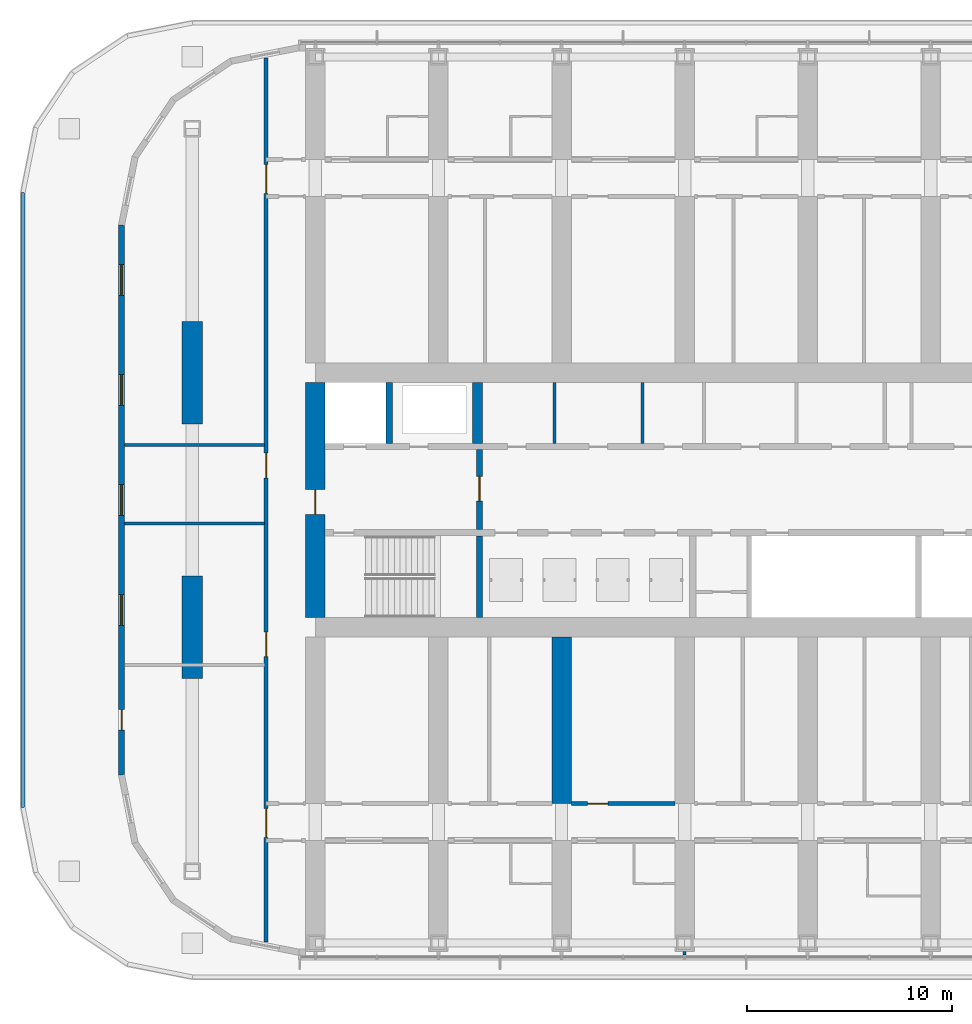
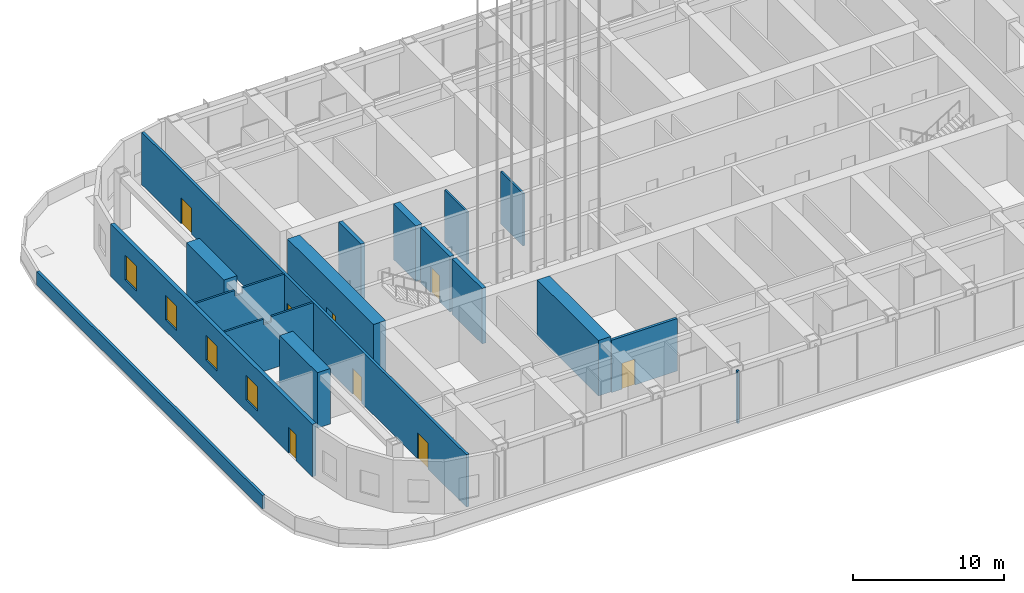
# One storey, part 11 of 32: 17 walls, 8 doors, 4 windows, 12 openings.
"""IFC4 building model written with IfcOpenShell, lengths in metres."""

from ifc_helpers import new_model, si_unit, direction, frame, frame_2d, origin, place, context, subcontext, project, spatial, polyline, rectangle, outline, extrude, material, layer, layer_set, type_object, element, fill, save


model = new_model("IFC4")

# Units and contexts
model_context = context("Model", 3, precision=1e-05, world=origin(), true_north=direction((0.0, 1.0)))
body_context = subcontext(model_context, "Body", "Model", "MODEL_VIEW")
ifc_project = project(units=[si_unit("LENGTHUNIT", "METRE"), si_unit("AREAUNIT", "SQUARE_METRE"), si_unit("VOLUMEUNIT", "CUBIC_METRE"), si_unit("PLANEANGLEUNIT", "RADIAN"), si_unit("MASSUNIT", "GRAM", prefix="KILO")], contexts=[model_context])

# Site, building, storey
site_placement = place(None, origin())
site = spatial("IfcSite", under=ifc_project, at=site_placement, CompositionType="ELEMENT")
building_placement = place(site_placement, origin())
building = spatial("IfcBuilding", under=site, at=building_placement, Name="Orbita Commons", CompositionType="ELEMENT")
storey_placement = place(building_placement, frame((0.0, 0.0, 140.35009765625)))
storey = spatial("IfcBuildingStorey", under=building, at=storey_placement, Name="L34", CompositionType="ELEMENT", Elevation=140.35009765625)

# Wall
ifc_material_1 = material(Name="Concrete C50/60", Category="concrete")
ifc_layer_1 = layer(ifc_material_1, 0.300048828125)
ifc_layer_set_1 = layer_set([ifc_layer_1], Name="Concrete C50/60")
wall_type_1 = type_object("IfcWallType", Name="Core inner wall 300 C50/60", PredefinedType="SHEAR", material=ifc_layer_set_1)
wall_1_placement = place(storey_placement, frame((26.0, 26.27490234375, 0.0), z_axis=(0.0, 0.0, 1.0), x_axis=(0.0, 1.0, 0.0)))
element("IfcWall", 1, at=wall_1_placement, inside=storey, type_object=wall_type_1, Name="Stair S1 wall L34", PredefinedType="SHEAR", context=body_context, shape_type="SweptSolid", body=[
    extrude(rectangle(XDim=3.97509765625, YDim=0.300048828125, at=frame_2d((1.987548828125, 0.0))), origin(), (0.0, 0.0, 1.0), 4.5),
])

# Wall, opening, door
wall_2_placement = place(storey_placement, frame((26.0, 30.550048828125, 0.0), z_axis=(0.0, 0.0, 1.0), x_axis=(0.0, 1.0, 0.0)))
wall_2 = element("IfcWall", 2, at=wall_2_placement, inside=storey, type_object=wall_type_1, Name="Firefighting lobby wall west L34", PredefinedType="SHEAR", context=body_context, shape_type="SweptSolid", body=[
    extrude(rectangle(XDim=3.89990234375, YDim=0.300048828125, at=frame_2d((1.949951171875, 0.0))), origin(), (0.0, 0.0, 1.0), 4.5),
])
opening_1_placement = place(wall_2_placement, frame((1.39990234375, 0.0, 0.0)))
opening_1 = element("IfcOpeningElement", 3, at=opening_1_placement, cuts=wall_2, Name="Opening D04", PredefinedType="OPENING", context=body_context, shape_type="SweptSolid", body=[
    extrude(rectangle(XDim=1.199951171875, YDim=2.10009765625, at=frame_2d((0.60009765625, 1.050048828125))), frame((0.0, 0.159912109375, 0.0), z_axis=(0.0, -1.0, 0.0), x_axis=(1.0, 0.0, 0.0)), (0.0, 0.0, 1.0), 0.320068359375),
])
ifc_material_2 = material(Name="Steel-faced fire door leaf", Category="steel")
door_type_1 = type_object("IfcDoorType", Name="Service door 20 min 1200x2100", OperationType="SINGLE_SWING_LEFT", PredefinedType="DOOR", material=ifc_material_2)
door_1_placement = place(opening_1_placement, origin())
door_1 = element("IfcDoor", 4, at=door_1_placement, inside=storey, type_object=door_type_1, Name="Lift lobby door west", OperationType="SINGLE_SWING_LEFT", OverallHeight=2.10009765625, OverallWidth=1.199951171875, PredefinedType="DOOR", context=body_context, shape_type="SweptSolid", body=[
    extrude(rectangle(XDim=1.199951171875, YDim=2.10009765625, at=frame_2d((0.60009765625, 1.050048828125))), frame((0.0, 0.02490234375, 0.0), z_axis=(0.0, -1.0, 0.0), x_axis=(1.0, 0.0, 0.0)), (0.0, 0.0, 1.0), 0.050048828125),
])
fill(opening_1, door_1)

# Walls
wall_3_placement = place(storey_placement, frame((21.60009765625, 34.75, 0.0), z_axis=(0.0, 0.0, 1.0), x_axis=(0.0, 1.0, 0.0)))
element("IfcWall", 5, at=wall_3_placement, inside=storey, type_object=wall_type_1, Name="Firefighting lift FL1 shaft wall L34", PredefinedType="SHEAR", context=body_context, shape_type="SweptSolid", body=[
    extrude(rectangle(XDim=2.97509765625, YDim=0.300048828125, at=frame_2d((1.487548828125, 0.0))), origin(), (0.0, 0.0, 1.0), 4.5),
])
ifc_material_3 = material(Name="Concrete C50/60", Category="concrete")
ifc_layer_2 = layer(ifc_material_3, 0.5)
ifc_layer_set_2 = layer_set([ifc_layer_2], Name="Concrete C50/60")
wall_type_2 = type_object("IfcWallType", Name="Core inner wall 500 C50/60", PredefinedType="SHEAR", material=ifc_layer_set_2)
wall_4_placement = place(storey_placement, frame((25.89990234375, 34.75, 0.0), z_axis=(0.0, 0.0, 1.0), x_axis=(0.0, 1.0, 0.0)))
element("IfcWall", 6, at=wall_4_placement, inside=storey, type_object=wall_type_2, Name="Riser wall west L34", PredefinedType="SHEAR", context=body_context, shape_type="SweptSolid", body=[
    extrude(rectangle(XDim=2.97509765625, YDim=0.5, at=frame_2d((1.487548828125, 0.0))), origin(), (0.0, 0.0, 1.0), 4.5),
])
ifc_material_4 = material(Name="Concrete blockwork", Category="masonry")
ifc_layer_3 = layer(ifc_material_4, 0.14990234375)
ifc_layer_set_3 = layer_set([ifc_layer_3], Name="Concrete blockwork")
wall_type_3 = type_object("IfcWallType", Name="Core partition 150 blockwork", PredefinedType="SOLIDWALL", material=ifc_layer_set_3)
for number, where, z_axis, x_axis, name in (
    (7, (29.65087890625, 34.75, 0.0), (0.0, 0.0, 1.0), (0.0, 1.0, 0.0), "Core partition 150 blockwork L34"),
    (8, (33.9462890625, 34.75, 0.0), (0.0, 0.0, 1.0), (0.0, 1.0, 0.0), "Core partition 150 blockwork L34"),
):
    element("IfcWall", number, at=place(storey_placement, frame(where, z_axis=z_axis, x_axis=x_axis)), inside=storey, type_object=wall_type_3, Name=name, PredefinedType="SOLIDWALL", context=body_context, shape_type="SweptSolid", body=[
        extrude(rectangle(XDim=2.97509765625, YDim=0.14990234375, at=frame_2d((1.487548828125, 0.0))), origin(), (0.0, 0.0, 1.0), 4.25),
    ])

# Wall, opening, door
ifc_material_5 = material(Name="Concrete C50/60", Category="concrete")
ifc_layer_4 = layer(ifc_material_5, 0.949951171875)
ifc_layer_set_4 = layer_set([ifc_layer_4], Name="Concrete C50/60")
wall_type_4 = type_object("IfcWallType", Name="Core wall 950 C50/60", PredefinedType="SHEAR", material=ifc_layer_set_4)
wall_5_placement = place(storey_placement, frame((18.0, 26.27490234375, 0.0), z_axis=(0.0, 0.0, 1.0), x_axis=(0.0, 1.0, 0.0)))
wall_5 = element("IfcWall", 9, at=wall_5_placement, inside=storey, type_object=wall_type_4, Name="Core end wall west L34", PredefinedType="SHEAR", context=body_context, shape_type="SweptSolid", body=[
    extrude(rectangle(XDim=11.4501953125, YDim=0.949951171875, at=frame_2d((5.72509765625, 0.0))), origin(), (0.0, 0.0, 1.0), 4.5),
])
opening_2_placement = place(wall_5_placement, frame((5.02490234375, 0.0, 0.0)))
opening_2 = element("IfcOpeningElement", 10, at=opening_2_placement, cuts=wall_5, Name="Opening D01", PredefinedType="OPENING", context=body_context, shape_type="SweptSolid", body=[
    extrude(rectangle(XDim=1.199951171875, YDim=2.10009765625, at=frame_2d((0.60009765625, 1.050048828125))), frame((0.0, 0.48486328125, 0.0), z_axis=(0.0, -1.0, 0.0), x_axis=(1.0, 0.0, 0.0)), (0.0, 0.0, 1.0), 0.969970703125),
])
ifc_material_6 = material(Name="Steel-faced fire door leaf", Category="steel")
door_type_2 = type_object("IfcDoorType", Name="Fire door 90 min 1200x2100", OperationType="SINGLE_SWING_LEFT", PredefinedType="DOOR", material=ifc_material_6)
door_2_placement = place(opening_2_placement, origin())
door_2 = element("IfcDoor", 11, at=door_2_placement, inside=storey, type_object=door_type_2, Name="Firefighting lobby west door", OperationType="SINGLE_SWING_LEFT", OverallHeight=2.10009765625, OverallWidth=1.199951171875, PredefinedType="DOOR", context=body_context, shape_type="SweptSolid", body=[
    extrude(rectangle(XDim=1.199951171875, YDim=2.10009765625, at=frame_2d((0.60009765625, 1.050048828125))), frame((0.0, 0.02490234375, 0.0), z_axis=(0.0, -1.0, 0.0), x_axis=(1.0, 0.0, 0.0)), (0.0, 0.0, 1.0), 0.050048828125),
])
fill(opening_2, door_2)

# Wall, openings, doors
ifc_material_7 = material(Name="Concrete blockwork", Category="masonry")
ifc_layer_5 = layer(ifc_material_7, 0.199951171875)
ifc_layer_set_5 = layer_set([ifc_layer_5], Name="Concrete blockwork")
wall_type_5 = type_object("IfcWallType", Name="Corridor wall 200 blockwork", PredefinedType="SOLIDWALL", material=ifc_layer_set_5)
wall_6_placement = place(storey_placement, frame((15.60009765625, 10.4462890625, 0.0), z_axis=(0.0, 0.0, 1.0), x_axis=(0.0, 1.0, 0.0)))
wall_6 = element("IfcWall", 12, at=wall_6_placement, inside=storey, type_object=wall_type_5, Name="Corridor wall 200 blockwork L34", PredefinedType="SOLIDWALL", context=body_context, shape_type="SweptSolid", body=[
    extrude(rectangle(XDim=43.107421875, YDim=0.199951171875, at=frame_2d((21.5537109375, 0.0))), origin(), (0.0, 0.0, 1.0), 4.25),
])
opening_3_placement = place(wall_6_placement, frame((13.913818359375, 0.0, 0.0)))
opening_3 = element("IfcOpeningElement", 13, at=opening_3_placement, cuts=wall_6, Name="Opening D15", PredefinedType="OPENING", context=body_context, shape_type="SweptSolid", body=[
    extrude(rectangle(XDim=1.199951171875, YDim=2.10009765625, at=frame_2d((0.60009765625, 1.050048828125))), frame((0.0, 0.10986328125, 0.0), z_axis=(0.0, -1.0, 0.0), x_axis=(1.0, 0.0, 0.0)), (0.0, 0.0, 1.0), 0.219970703125),
])
opening_4_placement = place(wall_6_placement, frame((22.6337890625, 0.0, 0.0)))
opening_4 = element("IfcOpeningElement", 14, at=opening_4_placement, cuts=wall_6, Name="Opening D15", PredefinedType="OPENING", context=body_context, shape_type="SweptSolid", body=[
    extrude(rectangle(XDim=1.199951171875, YDim=2.10009765625, at=frame_2d((0.60009765625, 1.050048828125))), frame((0.0, 0.10986328125, 0.0), z_axis=(0.0, -1.0, 0.0), x_axis=(1.0, 0.0, 0.0)), (0.0, 0.0, 1.0), 0.219970703125),
])
opening_5_placement = place(wall_6_placement, frame((5.103759765625, 0.0, 0.0)))
opening_5 = element("IfcOpeningElement", 15, at=opening_5_placement, cuts=wall_6, Name="Opening D08", PredefinedType="OPENING", context=body_context, shape_type="SweptSolid", body=[
    extrude(rectangle(XDim=1.39990234375, YDim=2.10009765625, at=frame_2d((0.699951171875, 1.050048828125))), frame((0.0, 0.10986328125, 0.0), z_axis=(0.0, -1.0, 0.0), x_axis=(1.0, 0.0, 0.0)), (0.0, 0.0, 1.0), 0.219970703125),
])
opening_6_placement = place(wall_6_placement, frame((36.50390625, 0.0, 0.0)))
opening_6 = element("IfcOpeningElement", 16, at=opening_6_placement, cuts=wall_6, Name="Opening D08", PredefinedType="OPENING", context=body_context, shape_type="SweptSolid", body=[
    extrude(rectangle(XDim=1.39990234375, YDim=2.10009765625, at=frame_2d((0.699951171875, 1.050048828125))), frame((0.0, 0.10986328125, 0.0), z_axis=(0.0, -1.0, 0.0), x_axis=(1.0, 0.0, 0.0)), (0.0, 0.0, 1.0), 0.219970703125),
])
ifc_material_8 = material(Name="Steel-faced fire door leaf", Category="steel")
door_type_3 = type_object("IfcDoorType", Name="Corridor door 20 min 1200x2100", OperationType="SINGLE_SWING_LEFT", PredefinedType="DOOR", material=ifc_material_8)
door_3_placement = place(opening_3_placement, origin())
door_3 = element("IfcDoor", 17, at=door_3_placement, inside=storey, type_object=door_type_3, Name="Study hall door", OperationType="SINGLE_SWING_LEFT", OverallHeight=2.10009765625, OverallWidth=1.199951171875, PredefinedType="DOOR", context=body_context, shape_type="SweptSolid", body=[
    extrude(rectangle(XDim=1.199951171875, YDim=2.10009765625, at=frame_2d((0.60009765625, 1.050048828125))), frame((0.0, 0.02490234375, 0.0), z_axis=(0.0, -1.0, 0.0), x_axis=(1.0, 0.0, 0.0)), (0.0, 0.0, 1.0), 0.050048828125),
])
fill(opening_3, door_3)
door_4_placement = place(opening_4_placement, origin())
door_4 = element("IfcDoor", 18, at=door_4_placement, inside=storey, type_object=door_type_3, Name="Sky lounge door", OperationType="SINGLE_SWING_LEFT", OverallHeight=2.10009765625, OverallWidth=1.199951171875, PredefinedType="DOOR", context=body_context, shape_type="SweptSolid", body=[
    extrude(rectangle(XDim=1.199951171875, YDim=2.10009765625, at=frame_2d((0.60009765625, 1.050048828125))), frame((0.0, 0.02490234375, 0.0), z_axis=(0.0, -1.0, 0.0), x_axis=(1.0, 0.0, 0.0)), (0.0, 0.0, 1.0), 0.050048828125),
])
fill(opening_4, door_4)
ifc_material_9 = material(Name="Steel-faced fire door leaf", Category="steel")
door_type_4 = type_object("IfcDoorType", Name="Double corridor door 20 min 1400x2100", OperationType="DOUBLE_DOOR_SINGLE_SWING", PredefinedType="DOOR", material=ifc_material_9)
door_5_placement = place(opening_5_placement, origin())
door_5 = element("IfcDoor", 19, at=door_5_placement, inside=storey, type_object=door_type_4, Name="Lounge doors", OperationType="DOUBLE_DOOR_SINGLE_SWING", OverallHeight=2.10009765625, OverallWidth=1.39990234375, PredefinedType="DOOR", context=body_context, shape_type="SweptSolid", body=[
    extrude(rectangle(XDim=1.39990234375, YDim=2.10009765625, at=frame_2d((0.699951171875, 1.050048828125))), frame((0.0, 0.02490234375, 0.0), z_axis=(0.0, -1.0, 0.0), x_axis=(1.0, 0.0, 0.0)), (0.0, 0.0, 1.0), 0.050048828125),
])
fill(opening_5, door_5)
door_6_placement = place(opening_6_placement, origin())
door_6 = element("IfcDoor", 20, at=door_6_placement, inside=storey, type_object=door_type_4, Name="Lounge doors", OperationType="DOUBLE_DOOR_SINGLE_SWING", OverallHeight=2.10009765625, OverallWidth=1.39990234375, PredefinedType="DOOR", context=body_context, shape_type="SweptSolid", body=[
    extrude(rectangle(XDim=1.39990234375, YDim=2.10009765625, at=frame_2d((0.699951171875, 1.050048828125))), frame((0.0, 0.02490234375, 0.0), z_axis=(0.0, -1.0, 0.0), x_axis=(1.0, 0.0, 0.0)), (0.0, 0.0, 1.0), 0.050048828125),
])
fill(opening_6, door_6)

# Wall, opening, door
ifc_material_10 = material(Name="Hollow concrete block 200", Category="concrete")
ifc_layer_6 = layer(ifc_material_10, 0.199951171875)
ifc_layer_set_6 = layer_set([ifc_layer_6], Name="Hollow concrete block 200")
wall_type_6 = type_object("IfcWallType", Name="Corridor wall 200 hollow concrete block", PredefinedType="SOLIDWALL", material=ifc_layer_set_6)
wall_7_placement = place(storey_placement, frame((30.47509765625, 17.199951171875, 0.0), z_axis=(0.0, 0.0, 1.0), x_axis=(1.0, 0.0, 0.0)))
wall_7 = element("IfcWall", 21, at=wall_7_placement, inside=storey, type_object=wall_type_6, Name="Corridor wall 200 hollow concrete block L34", PredefinedType="SOLIDWALL", context=body_context, shape_type="SweptSolid", body=[
    extrude(rectangle(XDim=5.0498046875, YDim=0.199951171875, at=frame_2d((2.52490234375, 0.0))), origin(), (0.0, 0.0, 1.0), 4.25),
])
opening_7_placement = place(wall_7_placement, frame((0.800048828125, 0.0, 0.0)))
opening_7 = element("IfcOpeningElement", 22, at=opening_7_placement, cuts=wall_7, Name="Opening D06", PredefinedType="OPENING", context=body_context, shape_type="SweptSolid", body=[
    extrude(rectangle(XDim=1.0, YDim=2.10009765625, at=frame_2d((0.5, 1.050048828125))), frame((0.0, 0.10986328125, 0.0), z_axis=(0.0, -1.0, 0.0), x_axis=(1.0, 0.0, 0.0)), (0.0, 0.0, 1.0), 0.219970703125),
])
ifc_material_11 = material(Name="Steel-faced fire door leaf", Category="steel")
door_type_5 = type_object("IfcDoorType", Name="Corridor door 20 min 1000x2100", OperationType="SINGLE_SWING_LEFT", PredefinedType="DOOR", material=ifc_material_11)
door_7_placement = place(opening_7_placement, origin())
door_7 = element("IfcDoor", 23, at=door_7_placement, inside=storey, type_object=door_type_5, Name="Housekeeping office L34-BDS30 door", OperationType="SINGLE_SWING_LEFT", OverallHeight=2.10009765625, OverallWidth=1.0, PredefinedType="DOOR", context=body_context, shape_type="SweptSolid", body=[
    extrude(rectangle(XDim=1.0, YDim=2.10009765625, at=frame_2d((0.5, 1.050048828125))), frame((0.0, 0.02490234375, 0.0), z_axis=(0.0, -1.0, 0.0), x_axis=(1.0, 0.0, 0.0)), (0.0, 0.0, 1.0), 0.050048828125),
])
fill(opening_7, door_7)

# Walls
ifc_material_12 = material(Name="Concrete C50/60", Category="concrete")
ifc_layer_7 = layer(ifc_material_12, 0.949951171875)
ifc_layer_set_7 = layer_set([ifc_layer_7], Name="Concrete C50/60")
wall_type_7 = type_object("IfcWallType", Name="Cross wall 950 C50/60", PredefinedType="SHEAR", material=ifc_layer_set_7)
wall_8_placement = place(storey_placement, frame((30.0, 17.199951171875, 0.0), z_axis=(0.0, 0.0, 1.0), x_axis=(0.0, 1.0, 0.0)))
element("IfcWall", 24, at=wall_8_placement, inside=storey, type_object=wall_type_7, Name="Cross wall 6 south inner L34", PredefinedType="SHEAR", context=body_context, shape_type="SweptSolid", body=[
    extrude(rectangle(XDim=8.125, YDim=0.949951171875, at=frame_2d((4.0625, 0.0))), origin(), (0.0, 0.0, 1.0), 4.5),
])
ifc_material_13 = material(Name="Concrete C50/60", Category="concrete")
ifc_layer_8 = layer(ifc_material_13, 1.0)
ifc_layer_set_8 = layer_set([ifc_layer_8], Name="Concrete C50/60")
wall_type_8 = type_object("IfcWallType", Name="End pier 1000x5000 C50/60", PredefinedType="SHEAR", material=ifc_layer_set_8)
for number, where, z_axis, x_axis, name in (
    (25, (12.0, 23.300048828125, 0.0), (0.0, 0.0, 1.0), (0.0, 1.0, 0.0), "End pier 3/C L34"),
    (26, (12.0, 35.699951171875, 0.0), (0.0, 0.0, 1.0), (0.0, 1.0, 0.0), "End pier 3/D L34"),
):
    element("IfcWall", number, at=place(storey_placement, frame(where, z_axis=z_axis, x_axis=x_axis)), inside=storey, type_object=wall_type_8, Name=name, PredefinedType="SHEAR", context=body_context, shape_type="SweptSolid", body=[
        extrude(rectangle(XDim=5.0, YDim=1.0, at=frame_2d((2.5, 0.0))), origin(), (0.0, 0.0, 1.0), 4.5),
    ])
ifc_material_14 = material(Name="Gypsum plasterboard on steel studs", Category="steel")
ifc_layer_9 = layer(ifc_material_14, 0.14990234375)
ifc_layer_set_9 = layer_set([ifc_layer_9], Name="Gypsum plasterboard on steel studs")
wall_type_9 = type_object("IfcWallType", Name="Partition 150 plasterboard", PredefinedType="PARTITIONING", material=ifc_layer_set_9)
for number, where, z_axis, x_axis, name in (
    (27, (8.705078125, 30.85009765625, 0.0), (0.0, 0.0, 1.0), (1.0, 0.0, 0.0), "Partition 150 plasterboard L34"),
    (28, (8.705078125, 34.679931640625, 0.0), (0.0, 0.0, 1.0), (1.0, 0.0, 0.0), "Partition 150 plasterboard L34"),
):
    element("IfcWall", number, at=place(storey_placement, frame(where, z_axis=z_axis, x_axis=x_axis)), inside=storey, type_object=wall_type_9, Name=name, PredefinedType="PARTITIONING", context=body_context, shape_type="SweptSolid", body=[
        extrude(outline(polyline([(0.0, 0.0), (6.81982421875, 0.0), (6.820068359375, 4.25), (3.596923828125, 4.25), (3.594970703125, 3.7998046875), (2.9970703125, 3.7998046875), (2.9951171875, 4.25), (0.0, 4.25), (0.0, 0.0)])), frame((0.0, 0.074951171875, 0.0), z_axis=(0.0, -1.0, 0.0), x_axis=(1.0, 0.0, 0.0)), (0.0, 0.0, 1.0), 0.14990234375),
    ])
wall_9_placement = place(storey_placement, frame((36.0, 10.0, 0.0), z_axis=(0.0, 0.0, 1.0), x_axis=(0.0, -1.0, 0.0)))
element("IfcWall", 29, at=wall_9_placement, inside=storey, type_object=wall_type_9, Name="Partition 150 plasterboard L34", PredefinedType="PARTITIONING", context=body_context, shape_type="SweptSolid", body=[
    extrude(rectangle(XDim=0.18994140625, YDim=0.14990234375, at=frame_2d((0.094970703125, 0.0))), origin(), (0.0, 0.0, 1.0), 4.25),
])

# Wall, openings, windows, door
ifc_material_15 = material(Name="Precast concrete C40/50, white board-marked finish", Category="concrete")
ifc_layer_10 = layer(ifc_material_15, 0.300048828125)
ifc_layer_set_10 = layer_set([ifc_layer_10], Name="Precast concrete C40/50, white board-marked finish")
wall_type_10 = type_object("IfcWallType", Name="Precast concrete end shield 300", PredefinedType="SOLIDWALL", material=ifc_layer_set_10)
wall_10_placement = place(storey_placement, frame((8.550048828125, 45.39990234375, 0.0), z_axis=(0.0, 0.0, 1.0), x_axis=(0.0, -1.0, 0.0)))
wall_10 = element("IfcWall", 30, at=wall_10_placement, inside=storey, type_object=wall_type_10, Name="End shield W L34", PredefinedType="SOLIDWALL", context=body_context, shape_type="SweptSolid", body=[
    extrude(outline(polyline([(-0.014892578125, -0.14990234375), (26.814697265625, -0.14990234375), (26.784912109375, 0.14990234375), (0.014892578125, 0.14990234375), (-0.014892578125, -0.14990234375)])), origin(), (0.0, 0.0, 1.0), 4.25),
])
opening_8_placement = place(wall_10_placement, frame((1.929931640625, 0.0, 0.89990234375)))
opening_8 = element("IfcOpeningElement", 31, at=opening_8_placement, cuts=wall_10, Name="Opening W01", PredefinedType="OPENING", context=body_context, shape_type="SweptSolid", body=[
    extrude(rectangle(XDim=1.5, YDim=2.0, at=frame_2d((0.75, 1.0))), frame((0.0, 0.159912109375, 0.0), z_axis=(0.0, -1.0, 0.0), x_axis=(1.0, 0.0, 0.0)), (0.0, 0.0, 1.0), 0.320068359375),
])
opening_9_placement = place(wall_10_placement, frame((7.2900390625, 0.0, 0.89990234375)))
opening_9 = element("IfcOpeningElement", 32, at=opening_9_placement, cuts=wall_10, Name="Opening W01", PredefinedType="OPENING", context=body_context, shape_type="SweptSolid", body=[
    extrude(rectangle(XDim=1.5, YDim=2.0, at=frame_2d((0.75, 1.0))), frame((0.0, 0.159912109375, 0.0), z_axis=(0.0, -1.0, 0.0), x_axis=(1.0, 0.0, 0.0)), (0.0, 0.0, 1.0), 0.320068359375),
])
opening_10_placement = place(wall_10_placement, frame((12.64990234375, 0.0, 0.89990234375)))
opening_10 = element("IfcOpeningElement", 33, at=opening_10_placement, cuts=wall_10, Name="Opening W01", PredefinedType="OPENING", context=body_context, shape_type="SweptSolid", body=[
    extrude(rectangle(XDim=1.5, YDim=2.0, at=frame_2d((0.75, 1.0))), frame((0.0, 0.159912109375, 0.0), z_axis=(0.0, -1.0, 0.0), x_axis=(1.0, 0.0, 0.0)), (0.0, 0.0, 1.0), 0.320068359375),
])
opening_11_placement = place(wall_10_placement, frame((18.010009765625, 0.0, 0.89990234375)))
opening_11 = element("IfcOpeningElement", 34, at=opening_11_placement, cuts=wall_10, Name="Opening W01", PredefinedType="OPENING", context=body_context, shape_type="SweptSolid", body=[
    extrude(rectangle(XDim=1.5, YDim=2.0, at=frame_2d((0.75, 1.0))), frame((0.0, 0.159912109375, 0.0), z_axis=(0.0, -1.0, 0.0), x_axis=(1.0, 0.0, 0.0)), (0.0, 0.0, 1.0), 0.320068359375),
])
opening_12_placement = place(wall_10_placement, frame((23.6201171875, 0.0, 0.0)))
opening_12 = element("IfcOpeningElement", 35, at=opening_12_placement, cuts=wall_10, Name="Opening DR1", PredefinedType="OPENING", context=body_context, shape_type="SweptSolid", body=[
    extrude(rectangle(XDim=1.0, YDim=2.10009765625, at=frame_2d((0.5, 1.050048828125))), frame((0.0, 0.159912109375, 0.0), z_axis=(0.0, -1.0, 0.0), x_axis=(1.0, 0.0, 0.0)), (0.0, 0.0, 1.0), 0.320068359375),
])
ifc_material_16 = material(Name="Aluminium frame, clear double glazing", Category="aluminium")
window_type = type_object("IfcWindowType", Name="Deep-set window 1500x2000", PartitioningType="SINGLE_PANEL", PredefinedType="WINDOW", material=ifc_material_16)
window_1_placement = place(opening_8_placement, origin())
window_1 = element("IfcWindow", 36, at=window_1_placement, inside=storey, type_object=window_type, Name="Window L34-W 1", OverallHeight=2.0, OverallWidth=1.5, PartitioningType="SINGLE_PANEL", PredefinedType="WINDOW", context=body_context, shape_type="SweptSolid", body=[
    extrude(rectangle(XDim=1.5, YDim=2.0, at=frame_2d((0.75, 1.0))), frame((0.0, 0.030029296875, 0.0), z_axis=(0.0, -1.0, 0.0), x_axis=(1.0, 0.0, 0.0)), (0.0, 0.0, 1.0), 0.06005859375),
])
fill(opening_8, window_1)
window_2_placement = place(opening_9_placement, origin())
window_2 = element("IfcWindow", 37, at=window_2_placement, inside=storey, type_object=window_type, Name="Window L34-W 2", OverallHeight=2.0, OverallWidth=1.5, PartitioningType="SINGLE_PANEL", PredefinedType="WINDOW", context=body_context, shape_type="SweptSolid", body=[
    extrude(rectangle(XDim=1.5, YDim=2.0, at=frame_2d((0.75, 1.0))), frame((0.0, 0.030029296875, 0.0), z_axis=(0.0, -1.0, 0.0), x_axis=(1.0, 0.0, 0.0)), (0.0, 0.0, 1.0), 0.06005859375),
])
fill(opening_9, window_2)
window_3_placement = place(opening_10_placement, origin())
window_3 = element("IfcWindow", 38, at=window_3_placement, inside=storey, type_object=window_type, Name="Window L34-W 3", OverallHeight=2.0, OverallWidth=1.5, PartitioningType="SINGLE_PANEL", PredefinedType="WINDOW", context=body_context, shape_type="SweptSolid", body=[
    extrude(rectangle(XDim=1.5, YDim=2.0, at=frame_2d((0.75, 1.0))), frame((0.0, 0.030029296875, 0.0), z_axis=(0.0, -1.0, 0.0), x_axis=(1.0, 0.0, 0.0)), (0.0, 0.0, 1.0), 0.06005859375),
])
fill(opening_10, window_3)
window_4_placement = place(opening_11_placement, origin())
window_4 = element("IfcWindow", 39, at=window_4_placement, inside=storey, type_object=window_type, Name="Window L34-W 4", OverallHeight=2.0, OverallWidth=1.5, PartitioningType="SINGLE_PANEL", PredefinedType="WINDOW", context=body_context, shape_type="SweptSolid", body=[
    extrude(rectangle(XDim=1.5, YDim=2.0, at=frame_2d((0.75, 1.0))), frame((0.0, 0.030029296875, 0.0), z_axis=(0.0, -1.0, 0.0), x_axis=(1.0, 0.0, 0.0)), (0.0, 0.0, 1.0), 0.06005859375),
])
fill(opening_11, window_4)
ifc_material_17 = material(Name="Aluminium frame, insulated solid panel", Category="aluminium")
door_type_6 = type_object("IfcDoorType", Name="Roof access door 1000x2100", OperationType="SINGLE_SWING_LEFT", PredefinedType="DOOR", material=ifc_material_17)
door_8_placement = place(opening_12_placement, origin())
door_8 = element("IfcDoor", 40, at=door_8_placement, inside=storey, type_object=door_type_6, Name="Maintenance roof access door L34-W", OperationType="SINGLE_SWING_LEFT", OverallHeight=2.10009765625, OverallWidth=1.0, PredefinedType="DOOR", context=body_context, shape_type="SweptSolid", body=[
    extrude(rectangle(XDim=1.0, YDim=2.10009765625, at=frame_2d((0.5, 1.050048828125))), frame((0.0, 0.02490234375, 0.0), z_axis=(0.0, -1.0, 0.0), x_axis=(1.0, 0.0, 0.0)), (0.0, 0.0, 1.0), 0.050048828125),
])
fill(opening_12, door_8)

# Wall
ifc_material_18 = material(Name="Precast concrete C40/50, white board-marked finish", Category="concrete")
ifc_layer_11 = layer(ifc_material_18, 0.199951171875)
ifc_layer_set_11 = layer_set([ifc_layer_11], Name="Precast concrete C40/50, white board-marked finish")
wall_type_11 = type_object("IfcWallType", Name="Precast parapet 200", PredefinedType="PARAPET", material=ifc_layer_set_11)
wall_11_placement = place(storey_placement, frame((3.75, 17.014892578125, 0.0), z_axis=(0.0, 0.0, 1.0), x_axis=(0.0, 1.0, 0.0)))
element("IfcWall", 41, at=wall_11_placement, inside=storey, type_object=wall_type_11, Name="Parapet L34 1.9", PredefinedType="PARAPET", context=body_context, shape_type="SweptSolid", body=[
    extrude(rectangle(XDim=29.97021484375, YDim=0.199951171875, at=frame_2d((14.985107421875, 0.0))), origin(), (0.0, 0.0, 1.0), 1.099853515625),
])

save(model, "model.ifc")
